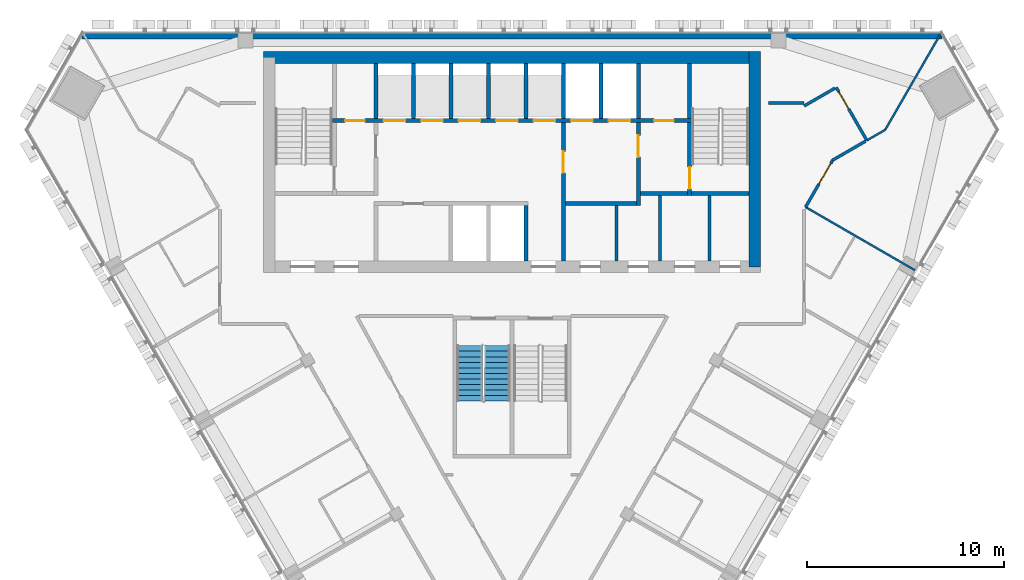
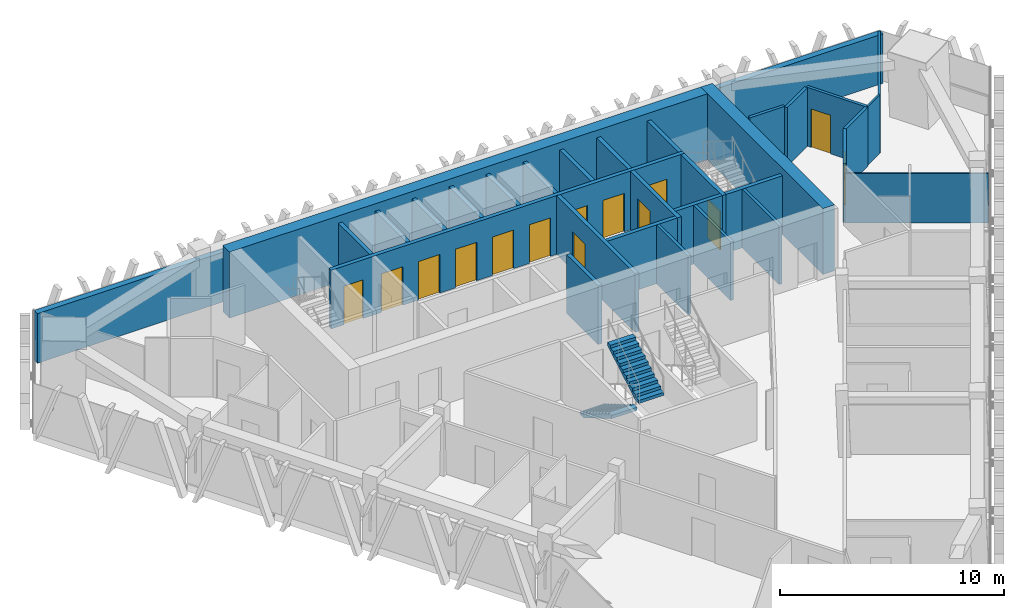
# One storey, part 10 of 14: 31 walls, 14 doors, 2 stair flights, 14 openings, 1 element without a shape of its own.
"""IFC4 building model written with IfcOpenShell, lengths in metres."""

from ifc_helpers import new_model, si_unit, direction, frame, frame_2d, origin, place, context, subcontext, project, spatial, polyline, rectangle, outline, extrude, material, layer, layer_set, type_object, element, fill, aggregate, save


model = new_model("IFC4")

# Units and contexts
model_context = context("Model", 3, precision=1e-05, world=origin(), true_north=direction((0.0, 1.0)))
body_context = subcontext(model_context, "Body", "Model", "MODEL_VIEW")
ifc_project = project(units=[si_unit("LENGTHUNIT", "METRE"), si_unit("AREAUNIT", "SQUARE_METRE"), si_unit("VOLUMEUNIT", "CUBIC_METRE"), si_unit("PLANEANGLEUNIT", "RADIAN"), si_unit("MASSUNIT", "GRAM", prefix="KILO")], contexts=[model_context])

# Site, building, storey
site_placement = place(None, origin())
site = spatial("IfcSite", under=ifc_project, at=site_placement, CompositionType="ELEMENT")
building_placement = place(site_placement, origin())
building = spatial("IfcBuilding", under=site, at=building_placement, Name="Altiplano Prism Tower", CompositionType="ELEMENT")
storey_placement = place(building_placement, frame((0.0, 0.0, 226.60009765625)))
storey = spatial("IfcBuildingStorey", under=building, at=storey_placement, Name="L58", CompositionType="ELEMENT", Elevation=226.60009765625)

# Walls
ifc_material_1 = material(Name="Concrete C60/75", Category="concrete")
ifc_layer_1 = layer(ifc_material_1, 0.60009765625)
ifc_layer_set_1 = layer_set([ifc_layer_1], Name="Concrete C60/75")
wall_type_1 = type_object("IfcWallType", Name="Core wall 600", PredefinedType="SHEAR", material=ifc_layer_set_1)
wall_1_placement = place(storey_placement, frame((97.300048828125, 93.10009765625, 0.0), z_axis=(0.0, 0.0, 1.0), x_axis=(0.0, 1.0, 0.0)))
element("IfcWall", 1, at=wall_1_placement, inside=storey, type_object=wall_type_1, Name="Core wall E L58", PredefinedType="SHEAR", context=body_context, shape_type="SweptSolid", body=[
    extrude(rectangle(XDim=10.89990234375, YDim=0.60009765625, at=frame_2d((5.449951171875, 0.0))), origin(), (0.0, 0.0, 1.0), 3.599853515625),
])
wall_2_placement = place(storey_placement, frame((97.300048828125, 103.699951171875, 0.0), z_axis=(0.0, 0.0, 1.0), x_axis=(-1.0, 0.0, 0.0)))
element("IfcWall", 2, at=wall_2_placement, inside=storey, type_object=wall_type_1, Name="Core wall N L58", PredefinedType="SHEAR", context=body_context, shape_type="SweptSolid", body=[
    extrude(rectangle(XDim=24.900146484375, YDim=0.60009765625, at=frame_2d((12.4501953125, 0.0))), origin(), (0.0, 0.0, 1.0), 3.599853515625),
])
ifc_material_2 = material(Name="Plasterboard on steel stud", Category="steel")
ifc_layer_2 = layer(ifc_material_2, 0.10009765625)
ifc_layer_set_2 = layer_set([ifc_layer_2], Name="Plasterboard on steel stud")
wall_type_2 = type_object("IfcWallType", Name="Partition 100 wet", PredefinedType="PARTITIONING", material=ifc_layer_set_2)
wall_3_placement = place(storey_placement, frame((105.4150390625, 92.9228515625, 0.0), z_axis=(0.0, 0.0, 1.0), x_axis=(-0.866018518567, 0.500011925357, 0.0)))
element("IfcWall", 3, at=wall_3_placement, inside=storey, type_object=wall_type_2, Name="Partition P03 L58 052", PredefinedType="PARTITIONING", context=body_context, shape_type="SweptSolid", body=[
    extrude(rectangle(XDim=6.400146484375, YDim=0.10009765625, at=frame_2d((3.2001953125, 0.0))), origin(), (0.0, 0.0, 1.0), 2.699951171875),
])
wall_4_placement = place(storey_placement, frame((106.712890625, 104.89990234375, 0.0), z_axis=(0.0, 0.0, 1.0), x_axis=(-0.49999586752, -0.86602778966, 0.0)))
element("IfcWall", 4, at=wall_4_placement, inside=storey, type_object=wall_type_2, Name="Partition P03 L58 053", PredefinedType="PARTITIONING", context=body_context, shape_type="SweptSolid", body=[
    extrude(rectangle(XDim=5.61669921875, YDim=0.10009765625, at=frame_2d((2.808349609375, 0.0))), origin(), (0.0, 0.0, 1.0), 2.699951171875),
])
wall_5_placement = place(storey_placement, frame((103.904541015625, 100.03564453125, 0.0), z_axis=(0.0, 0.0, 1.0), x_axis=(-0.866018596809, -0.500011789842, 0.0)))
element("IfcWall", 5, at=wall_5_placement, inside=storey, type_object=wall_type_2, Name="Partition P03 L58 054", PredefinedType="PARTITIONING", context=body_context, shape_type="SweptSolid", body=[
    extrude(rectangle(XDim=1.0712890625, YDim=0.10009765625, at=frame_2d((0.53564453125, 0.0))), origin(), (0.0, 0.0, 1.0), 3.199951171875),
])

# Wall, opening, door
ifc_layer_3 = layer(ifc_material_2, 0.14990234375)
ifc_layer_set_3 = layer_set([ifc_layer_3], Name="Plasterboard on steel stud")
wall_type_3 = type_object("IfcWallType", Name="Partition 150 corridor", PredefinedType="PARTITIONING", material=ifc_layer_set_3)
wall_6_placement = place(storey_placement, frame((99.872314453125, 96.123046875, 0.0), z_axis=(0.0, 0.0, 1.0), x_axis=(0.500061224174, 0.865990053105, 0.0)))
wall_6 = element("IfcWall", 6, at=wall_6_placement, inside=storey, type_object=wall_type_3, Name="Partition P06 L58 015", PredefinedType="PARTITIONING", context=body_context, shape_type="SweptSolid", body=[
    extrude(rectangle(XDim=2.744873046875, YDim=0.14990234375, at=frame_2d((1.37255859375, 0.0))), origin(), (0.0, 0.0, 1.0), 3.199951171875),
])
opening_1_placement = place(wall_6_placement, frame((1.344970703125, 0.0, 0.0)))
opening_1 = element("IfcOpeningElement", 7, at=opening_1_placement, cuts=wall_6, Name="Opening D1945", PredefinedType="OPENING", context=body_context, shape_type="SweptSolid", body=[
    extrude(rectangle(XDim=1.199951171875, YDim=2.10009765625, at=frame_2d((0.60009765625, 1.050048828125))), frame((0.0, 0.08544921875, 0.0), z_axis=(0.0, -1.0, 0.0), x_axis=(1.0, 0.0, 0.0)), (0.0, 0.0, 1.0), 0.1708984375),
])
ifc_material_3 = material(Name="Timber", Category="wood")
door_type_1 = type_object("IfcDoorType", Name="Shared room door 1200 x 2100", OperationType="NOTDEFINED", PredefinedType="NOTDEFINED", material=ifc_material_3)
door_1_placement = place(opening_1_placement, origin())
door_1 = element("IfcDoor", 8, at=door_1_placement, inside=storey, type_object=door_type_1, Name="Door D1945", OperationType="SINGLE_SWING_LEFT", OverallHeight=2.10009765625, OverallWidth=1.199951171875, PredefinedType="NOTDEFINED", context=body_context, shape_type="SweptSolid", body=[
    extrude(rectangle(XDim=1.199951171875, YDim=2.10009765625, at=frame_2d((0.60009765625, 1.050048828125))), frame((0.0, 0.02490234375, 0.0), z_axis=(0.0, -1.0, 0.0), x_axis=(1.0, 0.0, 0.0)), (0.0, 0.0, 1.0), 0.050048828125),
])
fill(opening_1, door_1)

# Wall
wall_7_placement = place(storey_placement, frame((101.244873046875, 98.5, 0.0), z_axis=(0.0, 0.0, 1.0), x_axis=(0.866033512162, 0.499985955615, 0.0)))
element("IfcWall", 9, at=wall_7_placement, inside=storey, type_object=wall_type_3, Name="Partition P06 L58 016", PredefinedType="PARTITIONING", context=body_context, shape_type="SweptSolid", body=[
    extrude(rectangle(XDim=1.9248046875, YDim=0.14990234375, at=frame_2d((0.96240234375, 0.0))), origin(), (0.0, 0.0, 1.0), 3.199951171875),
])

# Wall, opening, door
wall_8_placement = place(storey_placement, frame((102.976806640625, 99.5, 0.0), z_axis=(0.0, 0.0, 1.0), x_axis=(-0.500026960575, 0.86600983753, 0.0)))
wall_8 = element("IfcWall", 10, at=wall_8_placement, inside=storey, type_object=wall_type_3, Name="Partition P06 L58 020", PredefinedType="PARTITIONING", context=body_context, shape_type="SweptSolid", body=[
    extrude(rectangle(XDim=3.099853515625, YDim=0.14990234375, at=frame_2d((1.5498046875, 0.0))), origin(), (0.0, 0.0, 1.0), 3.199951171875),
])
opening_2_placement = place(wall_8_placement, frame((1.842041015625, 0.0, 0.0)))
opening_2 = element("IfcOpeningElement", 11, at=opening_2_placement, cuts=wall_8, Name="Opening D1947", PredefinedType="OPENING", context=body_context, shape_type="SweptSolid", body=[
    extrude(rectangle(XDim=1.0, YDim=2.10009765625, at=frame_2d((0.5, 1.050048828125))), frame((0.0, 0.08544921875, 0.0), z_axis=(0.0, -1.0, 0.0), x_axis=(1.0, 0.0, 0.0)), (0.0, 0.0, 1.0), 0.1708984375),
])
door_type_2 = type_object("IfcDoorType", Name="Room door 1000 x 2100", OperationType="NOTDEFINED", PredefinedType="NOTDEFINED", material=ifc_material_3)
door_2_placement = place(opening_2_placement, origin())
door_2 = element("IfcDoor", 12, at=door_2_placement, inside=storey, type_object=door_type_2, Name="Door D1947", OperationType="SINGLE_SWING_LEFT", OverallHeight=2.10009765625, OverallWidth=1.0, PredefinedType="NOTDEFINED", context=body_context, shape_type="SweptSolid", body=[
    extrude(rectangle(XDim=1.0, YDim=2.10009765625, at=frame_2d((0.5, 1.050048828125))), frame((0.0, 0.02490234375, 0.0), z_axis=(0.0, -1.0, 0.0), x_axis=(1.0, 0.0, 0.0)), (0.0, 0.0, 1.0), 0.050048828125),
])
fill(opening_2, door_2)

# Walls
wall_9_placement = place(storey_placement, frame((101.36181640625, 102.147216796875, 0.0), z_axis=(0.0, 0.0, 1.0), x_axis=(-0.865984934964, -0.500070087503, 0.0)))
element("IfcWall", 13, at=wall_9_placement, inside=storey, type_object=wall_type_3, Name="Partition P06 L58 021", PredefinedType="PARTITIONING", context=body_context, shape_type="SweptSolid", body=[
    extrude(rectangle(XDim=1.803466796875, YDim=0.14990234375, at=frame_2d((0.90185546875, 0.0))), origin(), (0.0, 0.0, 1.0), 3.199951171875),
])
wall_10_placement = place(storey_placement, frame((99.800048828125, 101.39990234375, 0.0), z_axis=(0.0, 0.0, 1.0), x_axis=(-1.0, 0.0, 0.0)))
element("IfcWall", 14, at=wall_10_placement, inside=storey, type_object=wall_type_3, Name="Partition P06 L58 022", PredefinedType="PARTITIONING", context=body_context, shape_type="SweptSolid", body=[
    extrude(rectangle(XDim=1.800048828125, YDim=0.14990234375, at=frame_2d((0.89990234375, 0.0))), origin(), (0.0, 0.0, 1.0), 3.199951171875),
])
ifc_material_4 = material(Name="Fire-rated gypsum board partition")
ifc_layer_4 = layer(ifc_material_4, 0.14990234375)
ifc_layer_set_4 = layer_set([ifc_layer_4], Name="Fire-rated gypsum board partition")
wall_type_4 = type_object("IfcWallType", Name="Room partition 150", PredefinedType="PARTITIONING", material=ifc_layer_set_4)
wall_11_placement = place(storey_placement, frame((90.300048828125, 93.39990234375, 0.0), z_axis=(0.0, 0.0, 1.0), x_axis=(0.0, 1.0, 0.0)))
element("IfcWall", 15, at=wall_11_placement, inside=storey, type_object=wall_type_4, Name="Room partition L58", PredefinedType="PARTITIONING", context=body_context, shape_type="SweptSolid", body=[
    extrude(rectangle(XDim=2.800048828125, YDim=0.14990234375, at=frame_2d((1.39990234375, 0.0))), origin(), (0.0, 0.0, 1.0), 3.199951171875),
])
for number, where, z_axis, x_axis, name in (
    (16, (92.5, 93.39990234375, 0.0), (0.0, 0.0, 1.0), (0.0, 1.0, 0.0), "Room partition L58"),
    (17, (95.0, 93.39990234375, 0.0), (0.0, 0.0, 1.0), (0.0, 1.0, 0.0), "Room partition L58"),
):
    element("IfcWall", number, at=place(storey_placement, frame(where, z_axis=z_axis, x_axis=x_axis)), inside=storey, type_object=wall_type_4, Name=name, PredefinedType="PARTITIONING", context=body_context, shape_type="SweptSolid", body=[
        extrude(rectangle(XDim=3.300048828125, YDim=0.14990234375, at=frame_2d((1.64990234375, 0.0))), origin(), (0.0, 0.0, 1.0), 3.199951171875),
    ])
ifc_layer_5 = layer(ifc_material_1, 0.199951171875)
ifc_layer_set_5 = layer_set([ifc_layer_5], Name="Concrete C60/75")
wall_type_5 = type_object("IfcWallType", Name="Shaft wall 200", PredefinedType="SOLIDWALL", material=ifc_layer_set_5)
wall_12_placement = place(storey_placement, frame((85.699951171875, 93.39990234375, 0.0), z_axis=(0.0, 0.0, 1.0), x_axis=(0.0, 1.0, 0.0)))
element("IfcWall", 18, at=wall_12_placement, inside=storey, type_object=wall_type_5, Name="Shaft wall L58", PredefinedType="SOLIDWALL", context=body_context, shape_type="SweptSolid", body=[
    extrude(rectangle(XDim=2.800048828125, YDim=0.199951171875, at=frame_2d((1.39990234375, 0.0))), origin(), (0.0, 0.0, 1.0), 3.199951171875),
])
for number, where, z_axis, x_axis, name in (
    (19, (78.10009765625, 100.60009765625, 0.0), (0.0, 0.0, 1.0), (0.0, 1.0, 0.0), "Shaft wall L58"),
    (20, (80.0, 100.60009765625, 0.0), (0.0, 0.0, 1.0), (0.0, 1.0, 0.0), "Shaft wall L58"),
    (21, (81.89990234375, 100.60009765625, 0.0), (0.0, 0.0, 1.0), (0.0, 1.0, 0.0), "Shaft wall L58"),
    (22, (83.800048828125, 100.60009765625, 0.0), (0.0, 0.0, 1.0), (0.0, 1.0, 0.0), "Shaft wall L58"),
    (23, (85.699951171875, 100.60009765625, 0.0), (0.0, 0.0, 1.0), (0.0, 1.0, 0.0), "Shaft wall L58"),
    (24, (87.60009765625, 100.60009765625, 0.0), (0.0, 0.0, 1.0), (0.0, 1.0, 0.0), "Shaft wall L58"),
    (25, (89.5, 100.60009765625, 0.0), (0.0, 0.0, 1.0), (0.0, 1.0, 0.0), "Shaft wall L58"),
    (26, (91.39990234375, 100.60009765625, 0.0), (0.0, 0.0, 1.0), (0.0, 1.0, 0.0), "Shaft wall L58"),
):
    element("IfcWall", number, at=place(storey_placement, frame(where, z_axis=z_axis, x_axis=x_axis)), inside=storey, type_object=wall_type_5, Name=name, PredefinedType="SOLIDWALL", context=body_context, shape_type="SweptSolid", body=[
        extrude(rectangle(XDim=2.7998046875, YDim=0.199951171875, at=frame_2d((1.39990234375, 0.0))), origin(), (0.0, 0.0, 1.0), 3.199951171875),
    ])

# Wall, opening, door
ifc_layer_6 = layer(ifc_material_1, 0.199951171875)
ifc_layer_set_6 = layer_set([ifc_layer_6], Name="Concrete C60/75")
wall_type_6 = type_object("IfcWallType", Name="Stair wall 200", PredefinedType="SOLIDWALL", material=ifc_layer_set_6)
wall_13_placement = place(storey_placement, frame((94.0, 96.699951171875, 0.0), z_axis=(0.0, 0.0, 1.0), x_axis=(0.0, 1.0, 0.0)))
wall_13 = element("IfcWall", 27, at=wall_13_placement, inside=storey, type_object=wall_type_6, Name="Stair wall L58", PredefinedType="SOLIDWALL", context=body_context, shape_type="SweptSolid", body=[
    extrude(rectangle(XDim=3.699951171875, YDim=0.199951171875, at=frame_2d((1.85009765625, 0.0))), origin(), (0.0, 0.0, 1.0), 3.199951171875),
])
opening_3_placement = place(wall_13_placement, frame((0.35009765625, 0.0, 0.0)))
opening_3 = element("IfcOpeningElement", 28, at=opening_3_placement, cuts=wall_13, Name="Opening D3385", PredefinedType="OPENING", context=body_context, shape_type="SweptSolid", body=[
    extrude(rectangle(XDim=1.10009765625, YDim=2.10009765625, at=frame_2d((0.550048828125, 1.050048828125))), frame((0.0, 0.1103515625, 0.0), z_axis=(0.0, -1.0, 0.0), x_axis=(1.0, 0.0, 0.0)), (0.0, 0.0, 1.0), 0.220947265625),
])
ifc_material_5 = material(Name="Fire-rated steel door", Category="steel")
door_type_3 = type_object("IfcDoorType", Name="Stair fire door 1100 x 2100", OperationType="NOTDEFINED", PredefinedType="NOTDEFINED", material=ifc_material_5)
door_3_placement = place(opening_3_placement, origin())
door_3 = element("IfcDoor", 29, at=door_3_placement, inside=storey, type_object=door_type_3, Name="Stair fire door D3385", OperationType="SINGLE_SWING_LEFT", OverallHeight=2.10009765625, OverallWidth=1.10009765625, PredefinedType="NOTDEFINED", context=body_context, shape_type="SweptSolid", body=[
    extrude(rectangle(XDim=1.10009765625, YDim=2.10009765625, at=frame_2d((0.550048828125, 1.050048828125))), frame((0.0, 0.02490234375, 0.0), z_axis=(0.0, -1.0, 0.0), x_axis=(1.0, 0.0, 0.0)), (0.0, 0.0, 1.0), 0.050048828125),
])
fill(opening_3, door_3)

# Wall
wall_14_placement = place(storey_placement, frame((94.10009765625, 96.800048828125, 0.0), z_axis=(0.0, 0.0, 1.0), x_axis=(1.0, 0.0, 0.0)))
element("IfcWall", 30, at=wall_14_placement, inside=storey, type_object=wall_type_6, Name="Stair wall L58", PredefinedType="SOLIDWALL", context=body_context, shape_type="SweptSolid", body=[
    extrude(rectangle(XDim=2.89990234375, YDim=0.199951171875, at=frame_2d((1.449951171875, 0.0))), origin(), (0.0, 0.0, 1.0), 3.199951171875),
])

# Wall, openings, doors
wall_15_placement = place(storey_placement, frame((75.89990234375, 100.5, 0.0), z_axis=(0.0, 0.0, 1.0), x_axis=(1.0, 0.0, 0.0)))
wall_15 = element("IfcWall", 31, at=wall_15_placement, inside=storey, type_object=wall_type_6, Name="Stair wall L58", PredefinedType="SOLIDWALL", context=body_context, shape_type="SweptSolid", body=[
    extrude(rectangle(XDim=18.2001953125, YDim=0.199951171875, at=frame_2d((9.10009765625, 0.0))), origin(), (0.0, 0.0, 1.0), 3.199951171875),
])
opening_4_placement = place(wall_15_placement, frame((2.60009765625, 0.0, 0.0)))
opening_4 = element("IfcOpeningElement", 32, at=opening_4_placement, cuts=wall_15, Name="Opening LD-ML1-L58", PredefinedType="OPENING", context=body_context, shape_type="SweptSolid", body=[
    extrude(rectangle(XDim=1.10009765625, YDim=2.10009765625, at=frame_2d((0.550048828125, 1.050048828125))), frame((0.0, 0.1103515625, 0.0), z_axis=(0.0, -1.0, 0.0), x_axis=(1.0, 0.0, 0.0)), (0.0, 0.0, 1.0), 0.220947265625),
])
opening_5_placement = place(wall_15_placement, frame((4.5, 0.0, 0.0)))
opening_5 = element("IfcOpeningElement", 33, at=opening_5_placement, cuts=wall_15, Name="Opening LD-ML2-L58", PredefinedType="OPENING", context=body_context, shape_type="SweptSolid", body=[
    extrude(rectangle(XDim=1.10009765625, YDim=2.10009765625, at=frame_2d((0.550048828125, 1.050048828125))), frame((0.0, 0.1103515625, 0.0), z_axis=(0.0, -1.0, 0.0), x_axis=(1.0, 0.0, 0.0)), (0.0, 0.0, 1.0), 0.220947265625),
])
opening_6_placement = place(wall_15_placement, frame((6.39990234375, 0.0, 0.0)))
opening_6 = element("IfcOpeningElement", 34, at=opening_6_placement, cuts=wall_15, Name="Opening LD-ML3-L58", PredefinedType="OPENING", context=body_context, shape_type="SweptSolid", body=[
    extrude(rectangle(XDim=1.10009765625, YDim=2.10009765625, at=frame_2d((0.550048828125, 1.050048828125))), frame((0.0, 0.1103515625, 0.0), z_axis=(0.0, -1.0, 0.0), x_axis=(1.0, 0.0, 0.0)), (0.0, 0.0, 1.0), 0.220947265625),
])
opening_7_placement = place(wall_15_placement, frame((8.300048828125, 0.0, 0.0)))
opening_7 = element("IfcOpeningElement", 35, at=opening_7_placement, cuts=wall_15, Name="Opening LD-ML4-L58", PredefinedType="OPENING", context=body_context, shape_type="SweptSolid", body=[
    extrude(rectangle(XDim=1.10009765625, YDim=2.10009765625, at=frame_2d((0.550048828125, 1.050048828125))), frame((0.0, 0.1103515625, 0.0), z_axis=(0.0, -1.0, 0.0), x_axis=(1.0, 0.0, 0.0)), (0.0, 0.0, 1.0), 0.220947265625),
])
opening_8_placement = place(wall_15_placement, frame((10.199951171875, 0.0, 0.0)))
opening_8 = element("IfcOpeningElement", 36, at=opening_8_placement, cuts=wall_15, Name="Opening LD-ML5-L58", PredefinedType="OPENING", context=body_context, shape_type="SweptSolid", body=[
    extrude(rectangle(XDim=1.10009765625, YDim=2.10009765625, at=frame_2d((0.550048828125, 1.050048828125))), frame((0.0, 0.1103515625, 0.0), z_axis=(0.0, -1.0, 0.0), x_axis=(1.0, 0.0, 0.0)), (0.0, 0.0, 1.0), 0.220947265625),
])
opening_9_placement = place(wall_15_placement, frame((12.10009765625, 0.0, 0.0)))
opening_9 = element("IfcOpeningElement", 37, at=opening_9_placement, cuts=wall_15, Name="Opening LD-FF1-L58", PredefinedType="OPENING", context=body_context, shape_type="SweptSolid", body=[
    extrude(rectangle(XDim=1.10009765625, YDim=2.10009765625, at=frame_2d((0.550048828125, 1.050048828125))), frame((0.0, 0.1103515625, 0.0), z_axis=(0.0, -1.0, 0.0), x_axis=(1.0, 0.0, 0.0)), (0.0, 0.0, 1.0), 0.220947265625),
])
opening_10_placement = place(wall_15_placement, frame((14.0, 0.0, 0.0)))
opening_10 = element("IfcOpeningElement", 38, at=opening_10_placement, cuts=wall_15, Name="Opening LD-FF2-L58", PredefinedType="OPENING", context=body_context, shape_type="SweptSolid", body=[
    extrude(rectangle(XDim=1.10009765625, YDim=2.10009765625, at=frame_2d((0.550048828125, 1.050048828125))), frame((0.0, 0.1103515625, 0.0), z_axis=(0.0, -1.0, 0.0), x_axis=(1.0, 0.0, 0.0)), (0.0, 0.0, 1.0), 0.220947265625),
])
opening_11_placement = place(wall_15_placement, frame((0.64990234375, 0.0, 0.0)))
opening_11 = element("IfcOpeningElement", 39, at=opening_11_placement, cuts=wall_15, Name="Opening D3392", PredefinedType="OPENING", context=body_context, shape_type="SweptSolid", body=[
    extrude(rectangle(XDim=1.0, YDim=2.10009765625, at=frame_2d((0.5, 1.050048828125))), frame((0.0, 0.1103515625, 0.0), z_axis=(0.0, -1.0, 0.0), x_axis=(1.0, 0.0, 0.0)), (0.0, 0.0, 1.0), 0.220947265625),
])
opening_12_placement = place(wall_15_placement, frame((16.300048828125, 0.0, 0.0)))
opening_12 = element("IfcOpeningElement", 40, at=opening_12_placement, cuts=wall_15, Name="Opening D3393", PredefinedType="OPENING", context=body_context, shape_type="SweptSolid", body=[
    extrude(rectangle(XDim=1.0, YDim=2.10009765625, at=frame_2d((0.5, 1.050048828125))), frame((0.0, 0.1103515625, 0.0), z_axis=(0.0, -1.0, 0.0), x_axis=(1.0, 0.0, 0.0)), (0.0, 0.0, 1.0), 0.220947265625),
])
door_type_4 = type_object("IfcDoorType", Name="Core room door 1000 x 2100", OperationType="NOTDEFINED", PredefinedType="NOTDEFINED", material=ifc_material_5)
door_4_placement = place(opening_11_placement, origin())
door_4 = element("IfcDoor", 41, at=door_4_placement, inside=storey, type_object=door_type_4, Name="Core room door D3392", OperationType="SINGLE_SWING_LEFT", OverallHeight=2.10009765625, OverallWidth=1.0, PredefinedType="NOTDEFINED", context=body_context, shape_type="SweptSolid", body=[
    extrude(rectangle(XDim=1.0, YDim=2.10009765625, at=frame_2d((0.5, 1.050048828125))), frame((0.0, 0.02490234375, 0.0), z_axis=(0.0, -1.0, 0.0), x_axis=(1.0, 0.0, 0.0)), (0.0, 0.0, 1.0), 0.050048828125),
])
fill(opening_11, door_4)
door_5_placement = place(opening_12_placement, origin())
door_5 = element("IfcDoor", 42, at=door_5_placement, inside=storey, type_object=door_type_4, Name="Core room door D3393", OperationType="SINGLE_SWING_RIGHT", OverallHeight=2.10009765625, OverallWidth=1.0, PredefinedType="NOTDEFINED", context=body_context, shape_type="SweptSolid", body=[
    extrude(rectangle(XDim=1.0, YDim=2.10009765625, at=frame_2d((0.5, 1.050048828125))), frame((0.0, 0.02490234375, 0.0), z_axis=(0.0, -1.0, 0.0), x_axis=(1.0, 0.0, 0.0)), (0.0, 0.0, 1.0), 0.050048828125),
])
fill(opening_12, door_5)
ifc_material_6 = material(Name="Stainless steel landing door", Category="steel")
door_type_5 = type_object("IfcDoorType", Name="Landing door 1100 x 2100", OperationType="NOTDEFINED", PredefinedType="NOTDEFINED", material=ifc_material_6)
door_6_placement = place(opening_4_placement, origin())
door_6 = element("IfcDoor", 43, at=door_6_placement, inside=storey, type_object=door_type_5, Name="Landing doors ML1", OperationType="SLIDING_TO_RIGHT", OverallHeight=2.10009765625, OverallWidth=1.10009765625, PredefinedType="NOTDEFINED", context=body_context, shape_type="SweptSolid", body=[
    extrude(rectangle(XDim=1.10009765625, YDim=2.10009765625, at=frame_2d((0.550048828125, 1.050048828125))), frame((0.0, 0.02490234375, 0.0), z_axis=(0.0, -1.0, 0.0), x_axis=(1.0, 0.0, 0.0)), (0.0, 0.0, 1.0), 0.050048828125),
])
fill(opening_4, door_6)
door_7_placement = place(opening_5_placement, origin())
door_7 = element("IfcDoor", 44, at=door_7_placement, inside=storey, type_object=door_type_5, Name="Landing doors ML2", OperationType="SLIDING_TO_LEFT", OverallHeight=2.10009765625, OverallWidth=1.10009765625, PredefinedType="NOTDEFINED", context=body_context, shape_type="SweptSolid", body=[
    extrude(rectangle(XDim=1.10009765625, YDim=2.10009765625, at=frame_2d((0.550048828125, 1.050048828125))), frame((0.0, 0.02490234375, 0.0), z_axis=(0.0, -1.0, 0.0), x_axis=(1.0, 0.0, 0.0)), (0.0, 0.0, 1.0), 0.050048828125),
])
fill(opening_5, door_7)
door_8_placement = place(opening_6_placement, origin())
door_8 = element("IfcDoor", 45, at=door_8_placement, inside=storey, type_object=door_type_5, Name="Landing doors ML3", OperationType="SLIDING_TO_RIGHT", OverallHeight=2.10009765625, OverallWidth=1.10009765625, PredefinedType="NOTDEFINED", context=body_context, shape_type="SweptSolid", body=[
    extrude(rectangle(XDim=1.10009765625, YDim=2.10009765625, at=frame_2d((0.550048828125, 1.050048828125))), frame((0.0, 0.02490234375, 0.0), z_axis=(0.0, -1.0, 0.0), x_axis=(1.0, 0.0, 0.0)), (0.0, 0.0, 1.0), 0.050048828125),
])
fill(opening_6, door_8)
door_9_placement = place(opening_7_placement, origin())
door_9 = element("IfcDoor", 46, at=door_9_placement, inside=storey, type_object=door_type_5, Name="Landing doors ML4", OperationType="SLIDING_TO_LEFT", OverallHeight=2.10009765625, OverallWidth=1.10009765625, PredefinedType="NOTDEFINED", context=body_context, shape_type="SweptSolid", body=[
    extrude(rectangle(XDim=1.10009765625, YDim=2.10009765625, at=frame_2d((0.550048828125, 1.050048828125))), frame((0.0, 0.02490234375, 0.0), z_axis=(0.0, -1.0, 0.0), x_axis=(1.0, 0.0, 0.0)), (0.0, 0.0, 1.0), 0.050048828125),
])
fill(opening_7, door_9)
door_10_placement = place(opening_8_placement, origin())
door_10 = element("IfcDoor", 47, at=door_10_placement, inside=storey, type_object=door_type_5, Name="Landing doors ML5", OperationType="SLIDING_TO_RIGHT", OverallHeight=2.10009765625, OverallWidth=1.10009765625, PredefinedType="NOTDEFINED", context=body_context, shape_type="SweptSolid", body=[
    extrude(rectangle(XDim=1.10009765625, YDim=2.10009765625, at=frame_2d((0.550048828125, 1.050048828125))), frame((0.0, 0.02490234375, 0.0), z_axis=(0.0, -1.0, 0.0), x_axis=(1.0, 0.0, 0.0)), (0.0, 0.0, 1.0), 0.050048828125),
])
fill(opening_8, door_10)
door_11_placement = place(opening_9_placement, origin())
door_11 = element("IfcDoor", 48, at=door_11_placement, inside=storey, type_object=door_type_5, Name="Landing doors FF1", OperationType="SLIDING_TO_RIGHT", OverallHeight=2.10009765625, OverallWidth=1.10009765625, PredefinedType="NOTDEFINED", context=body_context, shape_type="SweptSolid", body=[
    extrude(rectangle(XDim=1.10009765625, YDim=2.10009765625, at=frame_2d((0.550048828125, 1.050048828125))), frame((0.0, 0.02490234375, 0.0), z_axis=(0.0, -1.0, 0.0), x_axis=(1.0, 0.0, 0.0)), (0.0, 0.0, 1.0), 0.050048828125),
])
fill(opening_9, door_11)
door_12_placement = place(opening_10_placement, origin())
door_12 = element("IfcDoor", 49, at=door_12_placement, inside=storey, type_object=door_type_5, Name="Landing doors FF2", OperationType="SLIDING_TO_LEFT", OverallHeight=2.10009765625, OverallWidth=1.10009765625, PredefinedType="NOTDEFINED", context=body_context, shape_type="SweptSolid", body=[
    extrude(rectangle(XDim=1.10009765625, YDim=2.10009765625, at=frame_2d((0.550048828125, 1.050048828125))), frame((0.0, 0.02490234375, 0.0), z_axis=(0.0, -1.0, 0.0), x_axis=(1.0, 0.0, 0.0)), (0.0, 0.0, 1.0), 0.050048828125),
])
fill(opening_10, door_12)

# Walls
wall_16_placement = place(storey_placement, frame((94.0, 100.60009765625, 0.0), z_axis=(0.0, 0.0, 1.0), x_axis=(0.0, 1.0, 0.0)))
element("IfcWall", 50, at=wall_16_placement, inside=storey, type_object=wall_type_6, Name="Stair wall L58", PredefinedType="SOLIDWALL", context=body_context, shape_type="SweptSolid", body=[
    extrude(rectangle(XDim=2.7998046875, YDim=0.199951171875, at=frame_2d((1.39990234375, 0.0))), origin(), (0.0, 0.0, 1.0), 3.199951171875),
])
ifc_material_7 = material(Name="Concrete C40", Category="concrete")
ifc_layer_7 = layer(ifc_material_7, 0.300048828125)
ifc_layer_set_7 = layer_set([ifc_layer_7], Name="Concrete C40")
wall_type_7 = type_object("IfcWallType", Name="Stone-clad external wall 300", PredefinedType="SOLIDWALL", material=ifc_layer_set_7)
wall_17_placement = place(storey_placement, frame((63.229248046875, 104.7900390625, 0.0), z_axis=(0.0, 0.0, 1.0), x_axis=(1.0, 0.0, 0.0)))
element("IfcWall", 51, at=wall_17_placement, inside=storey, type_object=wall_type_7, Name="External wall north face L58", PredefinedType="SOLIDWALL", context=body_context, shape_type="SweptSolid", body=[
    extrude(rectangle(XDim=43.54150390625, YDim=0.300048828125, at=frame_2d((21.770751953125, 0.0))), origin(), (0.0, 0.0, 1.0), 2.699951171875),
])

# Wall, opening, door
ifc_layer_8 = layer(ifc_material_1, 0.199951171875)
ifc_layer_set_8 = layer_set([ifc_layer_8], Name="Concrete C60/75")
wall_type_8 = type_object("IfcWallType", Name="Vestibule wall 200", PredefinedType="PARTITIONING", material=ifc_layer_set_8)
wall_18_placement = place(storey_placement, frame((87.60009765625, 93.39990234375, 0.0), z_axis=(0.0, 0.0, 1.0), x_axis=(0.0, 1.0, 0.0)))
wall_18 = element("IfcWall", 52, at=wall_18_placement, inside=storey, type_object=wall_type_8, Name="Vestibule wall L58", PredefinedType="PARTITIONING", context=body_context, shape_type="SweptSolid", body=[
    extrude(rectangle(XDim=7.0, YDim=0.199951171875, at=frame_2d((3.5, 0.0))), origin(), (0.0, 0.0, 1.0), 3.199951171875),
])
opening_13_placement = place(wall_18_placement, frame((4.449951171875, 0.0, 0.0)))
opening_13 = element("IfcOpeningElement", 53, at=opening_13_placement, cuts=wall_18, Name="Opening D3387", PredefinedType="OPENING", context=body_context, shape_type="SweptSolid", body=[
    extrude(rectangle(XDim=1.10009765625, YDim=2.10009765625, at=frame_2d((0.550048828125, 1.050048828125))), frame((0.0, 0.1103515625, 0.0), z_axis=(0.0, -1.0, 0.0), x_axis=(1.0, 0.0, 0.0)), (0.0, 0.0, 1.0), 0.220947265625),
])
door_type_6 = type_object("IfcDoorType", Name="Vestibule fire door 1100 x 2100", OperationType="NOTDEFINED", PredefinedType="NOTDEFINED", material=ifc_material_5)
door_13_placement = place(opening_13_placement, origin())
door_13 = element("IfcDoor", 54, at=door_13_placement, inside=storey, type_object=door_type_6, Name="Vestibule fire door D3387", OperationType="SINGLE_SWING_RIGHT", OverallHeight=2.10009765625, OverallWidth=1.10009765625, PredefinedType="NOTDEFINED", context=body_context, shape_type="SweptSolid", body=[
    extrude(rectangle(XDim=1.10009765625, YDim=2.10009765625, at=frame_2d((0.550048828125, 1.050048828125))), frame((0.0, 0.02490234375, 0.0), z_axis=(0.0, -1.0, 0.0), x_axis=(1.0, 0.0, 0.0)), (0.0, 0.0, 1.0), 0.050048828125),
])
fill(opening_13, door_13)

# Wall
wall_19_placement = place(storey_placement, frame((87.699951171875, 96.300048828125, 0.0), z_axis=(0.0, 0.0, 1.0), x_axis=(1.0, 0.0, 0.0)))
element("IfcWall", 55, at=wall_19_placement, inside=storey, type_object=wall_type_8, Name="Vestibule wall L58", PredefinedType="PARTITIONING", context=body_context, shape_type="SweptSolid", body=[
    extrude(rectangle(XDim=3.60009765625, YDim=0.199951171875, at=frame_2d((1.800048828125, 0.0))), origin(), (0.0, 0.0, 1.0), 3.199951171875),
])

# Wall, opening, door
wall_20_placement = place(storey_placement, frame((91.39990234375, 96.199951171875, 0.0), z_axis=(0.0, 0.0, 1.0), x_axis=(0.0, 1.0, 0.0)))
wall_20 = element("IfcWall", 56, at=wall_20_placement, inside=storey, type_object=wall_type_8, Name="Vestibule wall L58", PredefinedType="PARTITIONING", context=body_context, shape_type="SweptSolid", body=[
    extrude(rectangle(XDim=4.199951171875, YDim=0.199951171875, at=frame_2d((2.10009765625, 0.0))), origin(), (0.0, 0.0, 1.0), 3.199951171875),
])
opening_14_placement = place(wall_20_placement, frame((2.449951171875, 0.0, 0.0)))
opening_14 = element("IfcOpeningElement", 57, at=opening_14_placement, cuts=wall_20, Name="Opening D3388", PredefinedType="OPENING", context=body_context, shape_type="SweptSolid", body=[
    extrude(rectangle(XDim=1.10009765625, YDim=2.10009765625, at=frame_2d((0.550048828125, 1.050048828125))), frame((0.0, 0.1103515625, 0.0), z_axis=(0.0, -1.0, 0.0), x_axis=(1.0, 0.0, 0.0)), (0.0, 0.0, 1.0), 0.220947265625),
])
door_14_placement = place(opening_14_placement, origin())
door_14 = element("IfcDoor", 58, at=door_14_placement, inside=storey, type_object=door_type_6, Name="Vestibule fire door D3388", OperationType="SINGLE_SWING_LEFT", OverallHeight=2.10009765625, OverallWidth=1.10009765625, PredefinedType="NOTDEFINED", context=body_context, shape_type="SweptSolid", body=[
    extrude(rectangle(XDim=1.10009765625, YDim=2.10009765625, at=frame_2d((0.550048828125, 1.050048828125))), frame((0.0, 0.02490234375, 0.0), z_axis=(0.0, -1.0, 0.0), x_axis=(1.0, 0.0, 0.0)), (0.0, 0.0, 1.0), 0.050048828125),
])
fill(opening_14, door_14)

# Wall
wall_21_placement = place(storey_placement, frame((91.5, 96.800048828125, 0.0), z_axis=(0.0, 0.0, 1.0), x_axis=(1.0, 0.0, 0.0)))
element("IfcWall", 59, at=wall_21_placement, inside=storey, type_object=wall_type_8, Name="Vestibule wall L58", PredefinedType="PARTITIONING", context=body_context, shape_type="SweptSolid", body=[
    extrude(rectangle(XDim=2.39990234375, YDim=0.199951171875, at=frame_2d((1.199951171875, 0.0))), origin(), (0.0, 0.0, 1.0), 3.199951171875),
])

# Stair, stair flights
ifc_material_8 = material(Name="Concrete C40/50", Category="concrete")
stair_type = type_object("IfcStairType", Name="Exit stair 1300", PredefinedType="HALF_TURN_STAIR", material=ifc_material_8)
stair_placement = place(storey_placement, origin())
stair = element("IfcStair", 60, at=stair_placement, inside=storey, type_object=stair_type, Name="L58 Exit Stair 3A", PredefinedType="HALF_TURN_STAIR")
stair_flight_type = type_object("IfcStairFlightType", Name="Stair flight concrete 150", PredefinedType="STRAIGHT", material=ifc_material_8)
stair_flight_1_placement = place(storey_placement, frame((82.85009765625, 89.10009765625, 0.0), z_axis=(0.0, 0.0, 1.0), x_axis=(0.0, -1.0, 0.0)))
stair_flight_1 = element("IfcStairFlight", 61, at=stair_flight_1_placement, type_object=stair_flight_type, Name="ST3A flight 1", NumberOfRisers=11, NumberOfTreads=10, PredefinedType="STRAIGHT", RiserHeight=0.163636364, TreadLength=0.28, context=body_context, shape_type="SweptSolid", body=[
    extrude(outline(polyline([(0.0, 0.0), (0.0, 0.16357421875), (0.280029296875, 0.16357421875), (0.280029296875, 0.327392578125), (0.56005859375, 0.327392578125), (0.56005859375, 0.490966796875), (0.840087890625, 0.490966796875), (0.840087890625, 0.654541015625), (1.1201171875, 0.654541015625), (1.1201171875, 0.818115234375), (1.39990234375, 0.818115234375), (1.39990234375, 0.98193359375), (1.679931640625, 0.98193359375), (1.679931640625, 1.1455078125), (1.9599609375, 1.1455078125), (1.9599609375, 1.30908203125), (2.239990234375, 1.30908203125), (2.239990234375, 1.47265625), (2.52001953125, 1.47265625), (2.52001953125, 1.636474609375), (2.800048828125, 1.636474609375), (2.800048828125, 1.800048828125), (2.800048828125, 1.462646484375), (0.297119140625, 0.0), (0.0, 0.0)])), frame((0.0, 0.64990234375, 0.0), z_axis=(0.0, -1.0, 0.0), x_axis=(1.0, 0.0, 0.0)), (0.0, 0.0, 1.0), 1.300048828125),
])
stair_flight_2_placement = place(storey_placement, frame((84.25, 86.300048828125, 1.7998046875), z_axis=(0.0, 0.0, 1.0), x_axis=(0.0, 1.0, 0.0)))
stair_flight_2 = element("IfcStairFlight", 62, at=stair_flight_2_placement, type_object=stair_flight_type, Name="ST3A flight 2", NumberOfRisers=11, NumberOfTreads=10, PredefinedType="STRAIGHT", RiserHeight=0.163636364, TreadLength=0.28, context=body_context, shape_type="SweptSolid", body=[
    extrude(outline(polyline([(0.0, 0.0), (0.0, 0.16357421875), (0.280029296875, 0.16357421875), (0.280029296875, 0.327392578125), (0.56005859375, 0.327392578125), (0.56005859375, 0.490966796875), (0.840087890625, 0.490966796875), (0.840087890625, 0.654541015625), (1.1201171875, 0.654541015625), (1.1201171875, 0.818115234375), (1.39990234375, 0.818115234375), (1.39990234375, 0.98193359375), (1.679931640625, 0.98193359375), (1.679931640625, 1.1455078125), (1.9599609375, 1.1455078125), (1.9599609375, 1.30908203125), (2.239990234375, 1.30908203125), (2.239990234375, 1.47265625), (2.52001953125, 1.47265625), (2.52001953125, 1.636474609375), (2.800048828125, 1.636474609375), (2.800048828125, 1.800048828125), (2.800048828125, 1.462646484375), (0.297119140625, 0.0), (0.0, 0.0)])), frame((0.0, 0.64990234375, 0.0), z_axis=(0.0, -1.0, 0.0), x_axis=(1.0, 0.0, 0.0)), (0.0, 0.0, 1.0), 1.300048828125),
])
aggregate(stair, [stair_flight_1, stair_flight_2])

save(model, "model.ifc")
